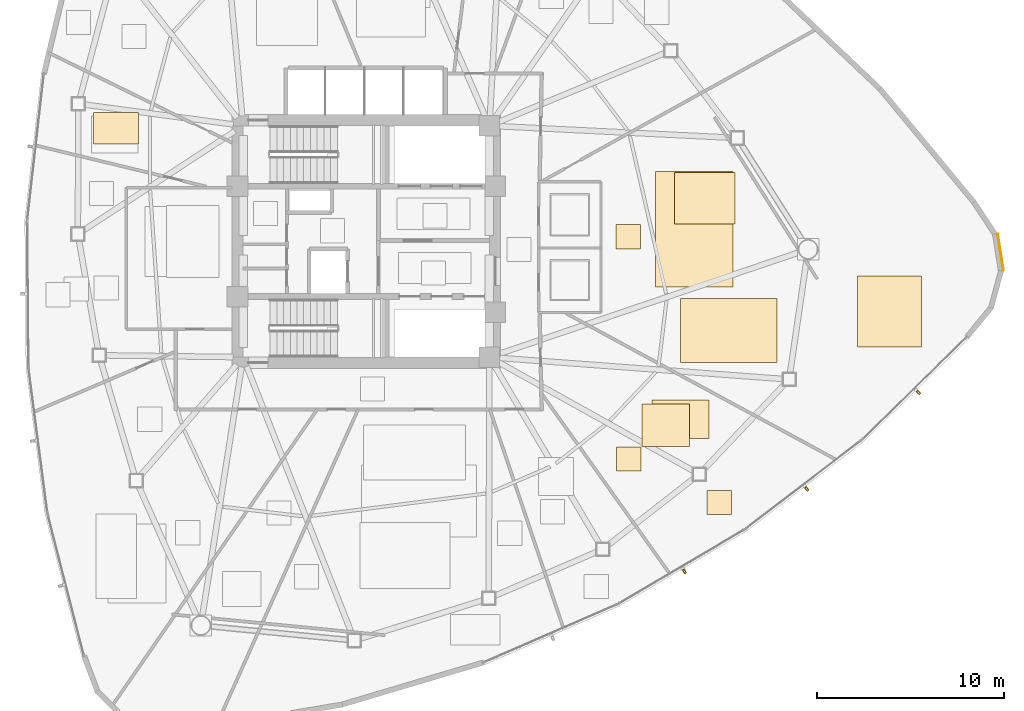
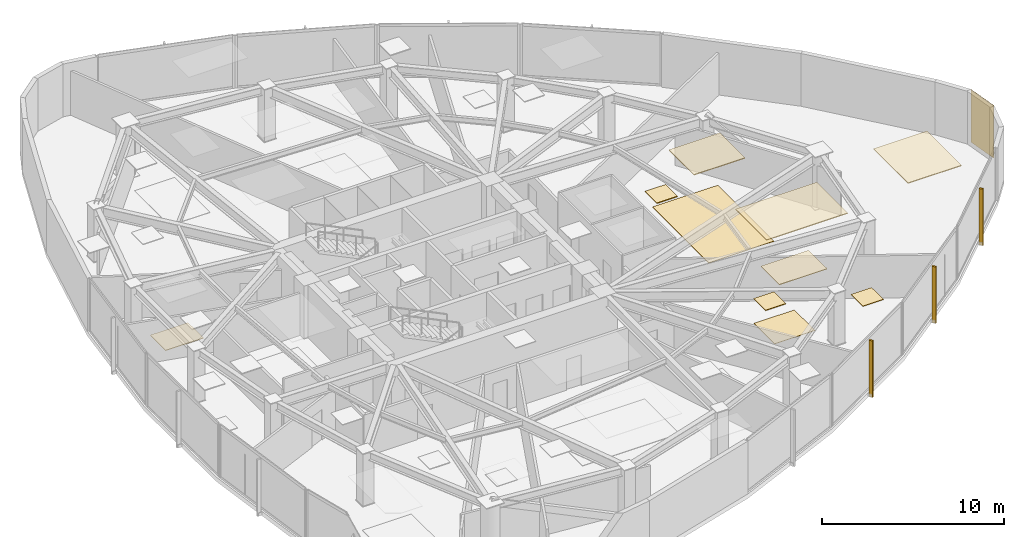
# One storey, part 17 of 18: 11 coverings, 3 shading devices.
"""IFC4 building model written with IfcOpenShell, lengths in metres."""

from ifc_helpers import new_model, si_unit, direction, frame, origin, origin_2d, place, context, subcontext, project, spatial, polyline, rectangle, outline, extrude, source, transform, mapped, material, layer, layer_set, type_object, type_shapes, element, save


model = new_model("IFC4")

# Units and contexts
model_context = context("Model", 3, precision=1e-05, world=origin(), true_north=direction((0.0, 1.0)))
body_context = subcontext(model_context, "Body", "Model", "MODEL_VIEW")
ifc_project = project(units=[si_unit("LENGTHUNIT", "METRE"), si_unit("AREAUNIT", "SQUARE_METRE"), si_unit("VOLUMEUNIT", "CUBIC_METRE"), si_unit("PLANEANGLEUNIT", "RADIAN"), si_unit("MASSUNIT", "GRAM", prefix="KILO")], contexts=[model_context])

# Site, building, storey
site_placement = place(None, origin())
site = spatial("IfcSite", under=ifc_project, at=site_placement, CompositionType="ELEMENT")
building_placement = place(site_placement, origin())
building = spatial("IfcBuilding", under=site, at=building_placement, Name="Tavelor Broadcast Tower", CompositionType="ELEMENT")
storey_placement = place(building_placement, frame((0.0, 0.0, 146.39990234375)))
storey = spatial("IfcBuildingStorey", under=building, at=storey_placement, Name="L34", CompositionType="ELEMENT", Elevation=146.39990234375)

# Coverings
ifc_material_1 = material(Name="Copper-Bronze Anodized Aluminium", Category="aluminium")
ifc_layer_1 = layer(ifc_material_1, 0.050048828125)
ifc_layer_set_1 = layer_set([ifc_layer_1], Name="Copper-Bronze Anodized Aluminium")
covering_type_1 = type_object("IfcCoveringType", Name="Champagne-Bronze Corner Pier Metal Cladding 50 mm", PredefinedType="CLADDING", material=ifc_layer_set_1)
covering_1_placement = place(storey_placement, frame((83.989990234375, 44.423583984375, 0.02001953125), z_axis=(0.0, 0.0, 1.0), x_axis=(-0.159019688023, 0.987275411839, 0.0)))
element("IfcCovering", 1, at=covering_1_placement, inside=storey, type_object=covering_type_1, Name="L34 Champagne-Bronze Corner Cladding 23", PredefinedType="CLADDING", context=body_context, shape_type="SweptSolid", body=[
    extrude(rectangle(XDim=1.97607421875, YDim=0.050048828125, at=origin_2d()), origin(), (0.0, 0.0, 1.0), 3.510009765625),
])
ifc_material_2 = material(Name="Acoustic Nylon Carpet Tile")
ifc_layer_2 = layer(ifc_material_2, 0.02001953125)
ifc_layer_set_2 = layer_set([ifc_layer_2], Name="Acoustic Nylon Carpet Tile")
covering_type_2 = type_object("IfcCoveringType", Name="Heavy-Duty Acoustic Broadcast Carpet Tile 20 mm", PredefinedType="FLOORING", material=ifc_layer_set_2)
covering_2_placement = place(storey_placement, origin())
element("IfcCovering", 2, at=covering_2_placement, inside=storey, type_object=covering_type_2, Name="L34 Broadcast Floor Finish 0486", PredefinedType="FLOORING", context=body_context, shape_type="SweptSolid", body=[
    extrude(outline(polyline([(64.76318359375, 34.015380859375), (67.333251953125, 34.015380859375), (67.333251953125, 36.29296875), (64.76318359375, 36.29296875), (64.76318359375, 34.015380859375)])), origin(), (0.0, 0.0, 1.0), 0.02001953125),
])
ifc_material_3 = material(Name="Acoustic Hardwood Studio Flooring", Category="wood")
ifc_layer_3 = layer(ifc_material_3, 0.034912109375)
ifc_layer_set_3 = layer_set([ifc_layer_3], Name="Acoustic Hardwood Studio Flooring")
covering_type_3 = type_object("IfcCoveringType", Name="Isolated Studio Acoustic Elastomeric Floor Finish 35 mm", PredefinedType="FLOORING", material=ifc_layer_set_3)
covering_3_placement = place(storey_placement, origin())
element("IfcCovering", 3, at=covering_3_placement, inside=storey, type_object=covering_type_3, Name="L34 Broadcast Floor Finish 0485", PredefinedType="FLOORING", context=body_context, shape_type="SweptSolid", body=[
    extrude(outline(polyline([(65.50390625, 42.552978515625), (69.654296875, 42.552978515625), (69.654296875, 48.7509765625), (65.50390625, 48.7509765625), (65.50390625, 42.552978515625)])), origin(), (0.0, 0.0, 1.0), 0.03515625),
])
covering_4_placement = place(storey_placement, origin())
element("IfcCovering", 4, at=covering_4_placement, inside=storey, type_object=covering_type_3, Name="L34 Broadcast Floor Finish 0492", PredefinedType="FLOORING", context=body_context, shape_type="SweptSolid", body=[
    extrude(outline(polyline([(35.397705078125, 50.222900390625), (37.79296875, 50.222900390625), (37.79296875, 51.9208984375), (35.397705078125, 51.9208984375), (35.397705078125, 50.222900390625)])), origin(), (0.0, 0.0, 1.0), 0.03515625),
])
ifc_material_4 = material(Name="Acoustic Perforated Timber Baffle", Category="wood")
ifc_layer_4 = layer(ifc_material_4, 0.054931640625)
ifc_layer_set_4 = layer_set([ifc_layer_4], Name="Acoustic Perforated Timber Baffle")
covering_type_4 = type_object("IfcCoveringType", Name="Micro-Perforated Acoustic Baffle Studio Ceiling 55 mm", PredefinedType="CEILING", material=ifc_layer_set_4)
covering_5_placement = place(storey_placement, frame((0.0, 0.0, 3.4951171875)))
element("IfcCovering", 5, at=covering_5_placement, inside=storey, type_object=covering_type_4, Name="L34 Suspended Acoustic Ceiling 1387", PredefinedType="CEILING", context=body_context, shape_type="SweptSolid", body=[
    extrude(outline(polyline([(63.393310546875, 44.604736328125), (64.693115234375, 44.604736328125), (64.693115234375, 45.90478515625), (63.393310546875, 45.90478515625), (63.393310546875, 44.604736328125)])), origin(), (0.0, 0.0, 1.0), 0.054931640625),
])
covering_6_placement = place(storey_placement, frame((0.0, 0.0, 3.4951171875)))
element("IfcCovering", 6, at=covering_6_placement, inside=storey, type_object=covering_type_4, Name="L34 Suspended Acoustic Ceiling 1388", PredefinedType="CEILING", context=body_context, shape_type="SweptSolid", body=[
    extrude(outline(polyline([(66.521484375, 45.94140625), (69.76220703125, 45.94140625), (69.76220703125, 48.703369140625), (66.521484375, 48.703369140625), (66.521484375, 45.94140625)])), origin(), (0.0, 0.0, 1.0), 0.054931640625),
])
covering_7_placement = place(storey_placement, frame((0.0, 0.0, 3.4951171875)))
element("IfcCovering", 7, at=covering_7_placement, inside=storey, type_object=covering_type_4, Name="L34 Suspended Acoustic Ceiling 1389", PredefinedType="CEILING", context=body_context, shape_type="SweptSolid", body=[
    extrude(outline(polyline([(66.849853515625, 38.5224609375), (72.018310546875, 38.5224609375), (72.018310546875, 41.934326171875), (66.849853515625, 41.934326171875), (66.849853515625, 38.5224609375)])), origin(), (0.0, 0.0, 1.0), 0.054931640625),
])
covering_8_placement = place(storey_placement, frame((0.0, 0.0, 3.4951171875)))
element("IfcCovering", 8, at=covering_8_placement, inside=storey, type_object=covering_type_4, Name="L34 Suspended Acoustic Ceiling 1390", PredefinedType="CEILING", context=body_context, shape_type="SweptSolid", body=[
    extrude(outline(polyline([(76.330810546875, 39.356689453125), (79.743408203125, 39.356689453125), (79.743408203125, 43.153076171875), (76.330810546875, 43.153076171875), (76.330810546875, 39.356689453125)])), origin(), (0.0, 0.0, 1.0), 0.054931640625),
])
ifc_material_5 = material(Name="Acoustic Mineral Fibre Tile")
ifc_layer_5 = layer(ifc_material_5, 0.0400390625)
ifc_layer_set_5 = layer_set([ifc_layer_5], Name="Acoustic Mineral Fibre Tile")
covering_type_5 = type_object("IfcCoveringType", Name="Suspended Acoustic Mineral-Fibre Office Ceiling 40 mm", PredefinedType="CEILING", material=ifc_layer_set_5)
covering_9_placement = place(storey_placement, frame((0.0, 0.0, 3.510009765625)))
element("IfcCovering", 9, at=covering_9_placement, inside=storey, type_object=covering_type_5, Name="L34 Suspended Acoustic Ceiling 1391", PredefinedType="CEILING", context=body_context, shape_type="SweptSolid", body=[
    extrude(outline(polyline([(65.315185546875, 34.4521484375), (68.358642578125, 34.4521484375), (68.358642578125, 36.49658203125), (65.315185546875, 36.49658203125), (65.315185546875, 34.4521484375)])), origin(), (0.0, 0.0, 1.0), 0.0400390625),
])
covering_10_placement = place(storey_placement, frame((0.0, 0.0, 3.510009765625)))
element("IfcCovering", 10, at=covering_10_placement, inside=storey, type_object=covering_type_5, Name="L34 Suspended Acoustic Ceiling 1392", PredefinedType="CEILING", context=body_context, shape_type="SweptSolid", body=[
    extrude(outline(polyline([(68.26806640625, 30.360595703125), (69.568115234375, 30.360595703125), (69.568115234375, 31.66064453125), (68.26806640625, 31.66064453125), (68.26806640625, 30.360595703125)])), origin(), (0.0, 0.0, 1.0), 0.0400390625),
])
covering_11_placement = place(storey_placement, frame((0.0, 0.0, 3.510009765625)))
element("IfcCovering", 11, at=covering_11_placement, inside=storey, type_object=covering_type_5, Name="L34 Suspended Acoustic Ceiling 1393", PredefinedType="CEILING", context=body_context, shape_type="SweptSolid", body=[
    extrude(outline(polyline([(63.419189453125, 32.691650390625), (64.71923828125, 32.691650390625), (64.71923828125, 33.99169921875), (63.419189453125, 33.99169921875), (63.419189453125, 32.691650390625)])), origin(), (0.0, 0.0, 1.0), 0.0400390625),
])

# Shading devices
ifc_material_6 = material(Name="Kiln-Fired Glazed Terracotta", Category="masonry")
shading_device_type = type_object("IfcShadingDeviceType", Name="Extruded Terracotta Baguette Sun-Screen 110x240", PredefinedType="JALOUSIE", material=ifc_material_6)
shared_shape = source(origin(), body_context, "Body", "SweptSolid", [
    extrude(rectangle(XDim=0.110107421875, YDim=0.239990234375, at=origin_2d()), origin(), (0.0, 0.0, 1.0), 3.7900390625),
])
type_shapes(shading_device_type, [shared_shape])
for number, where, z_axis, x_axis, name in (
    (12, (67.04541015625, 27.320556640625, -0.260009765625), (0.0, 0.0, 1.0), (0.861806272255, 0.50723756673, 0.0), "L34 Terracotta Baguette Fin 342"),
    (13, (73.6044921875, 31.736572265625, -0.260009765625), (0.0, 0.0, 1.0), (0.794096490407, 0.607791710969, 0.0), "L34 Terracotta Baguette Fin 343"),
    (14, (79.5810546875, 36.913818359375, -0.260009765625), (0.0, 0.0, 1.0), (0.714716864679, 0.699413899879, 0.0), "L34 Terracotta Baguette Fin 344"),
):
    element("IfcShadingDevice", number, at=place(storey_placement, frame(where, z_axis=z_axis, x_axis=x_axis)), inside=storey, type_object=shading_device_type, Name=name, PredefinedType="JALOUSIE", context=body_context, shape_type="MappedRepresentation", body=[
        mapped(shared_shape, transform((0.0, 0.0, 0.0), scale=1.0)),
    ])

save(model, "model.ifc")
